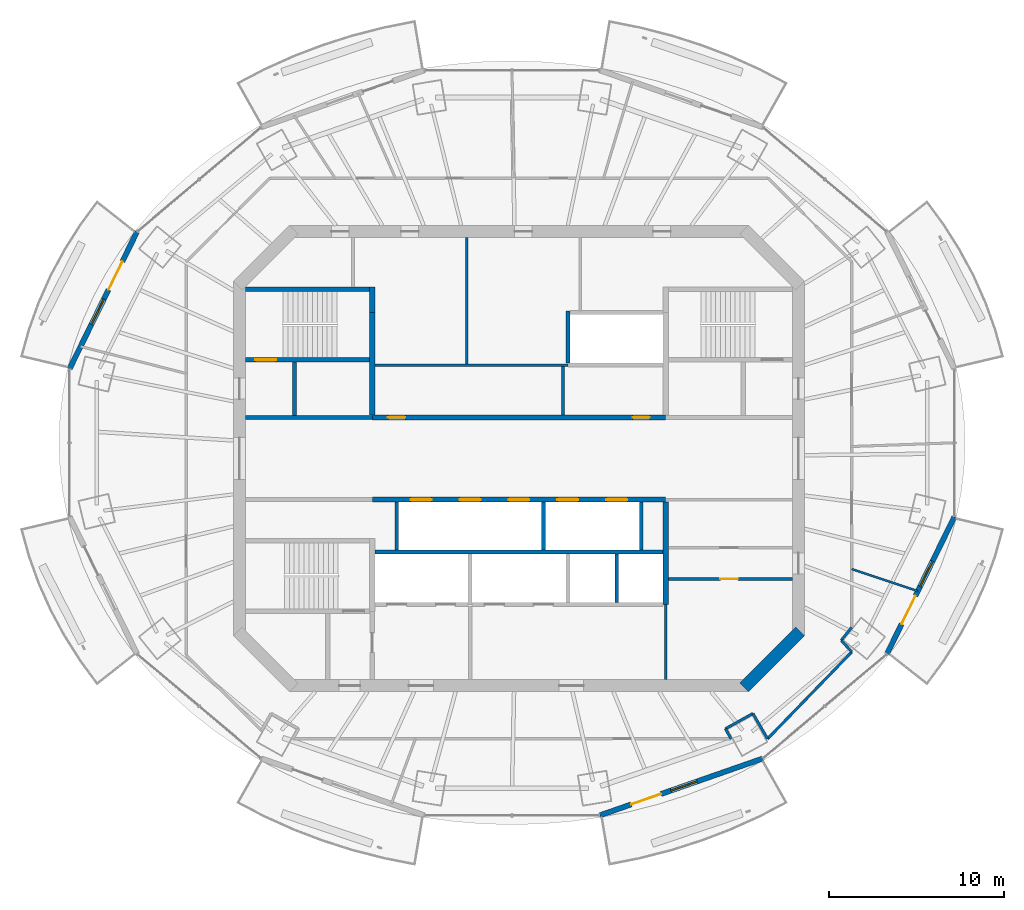
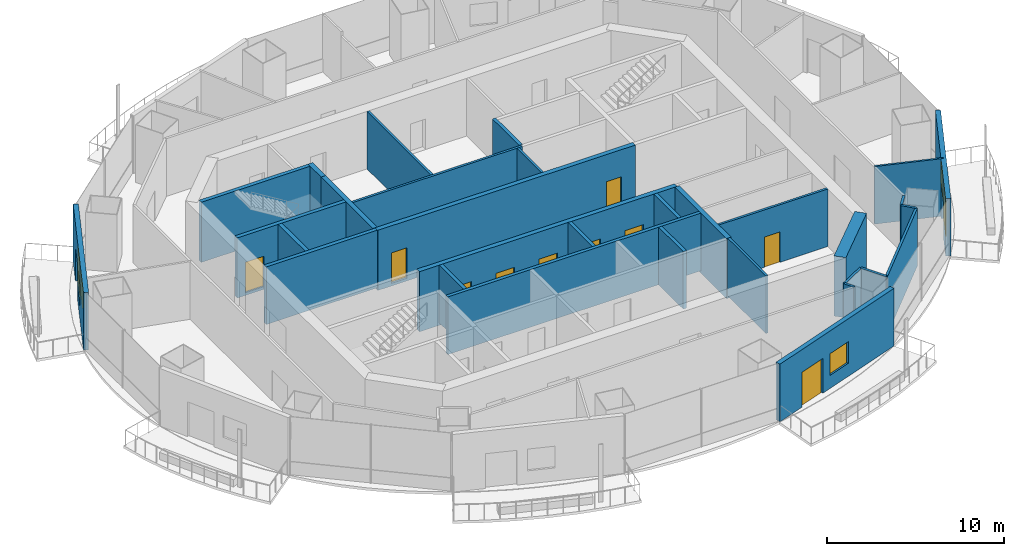
# One storey, part 9 of 16: 31 walls, 12 doors, 3 windows, 15 openings.
"""IFC4 building model written with IfcOpenShell, lengths in metres."""

from ifc_helpers import new_model, si_unit, direction, frame, frame_2d, origin, place, context, subcontext, project, spatial, rectangle, extrude, material, layer, layer_set, type_object, element, fill, save


model = new_model("IFC4")

# Units and contexts
model_context = context("Model", 3, precision=1e-05, world=origin(), true_north=direction((0.0, 1.0)))
body_context = subcontext(model_context, "Body", "Model", "MODEL_VIEW")
ifc_project = project(units=[si_unit("LENGTHUNIT", "METRE"), si_unit("AREAUNIT", "SQUARE_METRE"), si_unit("VOLUMEUNIT", "CUBIC_METRE"), si_unit("PLANEANGLEUNIT", "RADIAN"), si_unit("MASSUNIT", "GRAM", prefix="KILO")], contexts=[model_context])

# Site, building, storey
site_placement = place(None, origin())
site = spatial("IfcSite", under=ifc_project, at=site_placement, CompositionType="ELEMENT")
building_placement = place(site_placement, origin())
building = spatial("IfcBuilding", under=site, at=building_placement, Name="Marenthal Gate Tower", CompositionType="ELEMENT")
storey_placement = place(building_placement, frame((0.0, 0.0, 379.949951171875)))
storey = spatial("IfcBuildingStorey", under=building, at=storey_placement, Name="L86", CompositionType="ELEMENT", Elevation=379.949951171875)

# Wall
ifc_material_1 = material(Name="Concrete 60 MPa", Category="concrete")
ifc_layer_1 = layer(ifc_material_1, 0.699951171875)
ifc_layer_set_1 = layer_set([ifc_layer_1], Name="Core shear wall 700")
wall_type_1 = type_object("IfcWallType", Name="Core shear wall 700", PredefinedType="SHEAR", material=ifc_layer_set_1)
wall_1_placement = place(storey_placement, frame((12.8974609375, -13.1025390625, -0.179931640625), z_axis=(0.0, 0.0, 1.0), x_axis=(0.707106781187, 0.707106781187, 0.0)))
element("IfcWall", 1, at=wall_1_placement, inside=storey, type_object=wall_type_1, Name="Core wall 01", PredefinedType="SHEAR", context=body_context, shape_type="SweptSolid", body=[
    extrude(rectangle(XDim=4.53271484375, YDim=0.699951171875, at=frame_2d((2.266357421875, 0.0))), origin(), (0.0, 0.0, 1.0), 4.14990234375),
])

# Wall, openings, doors
ifc_material_2 = material(Name="Concrete 50 MPa", Category="concrete")
ifc_layer_2 = layer(ifc_material_2, 0.300048828125)
ifc_layer_set_2 = layer_set([ifc_layer_2], Name="Hoistway shear wall 300")
wall_type_2 = type_object("IfcWallType", Name="Hoistway shear wall 300", PredefinedType="SHEAR", material=ifc_layer_set_2)
wall_2_placement = place(storey_placement, frame((-8.39990234375, -2.35009765625, -0.179931640625), z_axis=(0.0, 0.0, 1.0), x_axis=(1.0, 0.0, 0.0)))
wall_2 = element("IfcWall", 2, at=wall_2_placement, inside=storey, type_object=wall_type_2, Name="Hoistway wall 17", PredefinedType="SHEAR", context=body_context, shape_type="SweptSolid", body=[
    extrude(rectangle(XDim=16.7998046875, YDim=0.300048828125, at=frame_2d((8.39990234375, 0.0))), origin(), (0.0, 0.0, 1.0), 4.14990234375),
])
opening_1_placement = place(wall_2_placement, frame((2.199951171875, 0.0, 0.179931640625)))
opening_1 = element("IfcOpeningElement", 3, at=opening_1_placement, cuts=wall_2, Name="Opening LD-HP1", PredefinedType="OPENING", context=body_context, shape_type="SweptSolid", body=[
    extrude(rectangle(XDim=1.199951171875, YDim=2.10009765625, at=frame_2d((0.60009765625, 1.050048828125))), frame((0.0, 0.16015625, 0.0), z_axis=(0.0, -1.0, 0.0), x_axis=(1.0, 0.0, 0.0)), (0.0, 0.0, 1.0), 0.320068359375),
])
opening_2_placement = place(wall_2_placement, frame((5.0, 0.0, 0.179931640625)))
opening_2 = element("IfcOpeningElement", 4, at=opening_2_placement, cuts=wall_2, Name="Opening LD-HP2", PredefinedType="OPENING", context=body_context, shape_type="SweptSolid", body=[
    extrude(rectangle(XDim=1.199951171875, YDim=2.10009765625, at=frame_2d((0.60009765625, 1.050048828125))), frame((0.0, 0.16015625, 0.0), z_axis=(0.0, -1.0, 0.0), x_axis=(1.0, 0.0, 0.0)), (0.0, 0.0, 1.0), 0.320068359375),
])
opening_3_placement = place(wall_2_placement, frame((7.800048828125, 0.0, 0.179931640625)))
opening_3 = element("IfcOpeningElement", 5, at=opening_3_placement, cuts=wall_2, Name="Opening LD-HP3", PredefinedType="OPENING", context=body_context, shape_type="SweptSolid", body=[
    extrude(rectangle(XDim=1.199951171875, YDim=2.10009765625, at=frame_2d((0.60009765625, 1.050048828125))), frame((0.0, 0.16015625, 0.0), z_axis=(0.0, -1.0, 0.0), x_axis=(1.0, 0.0, 0.0)), (0.0, 0.0, 1.0), 0.320068359375),
])
opening_4_placement = place(wall_2_placement, frame((10.60009765625, 0.0, 0.179931640625)))
opening_4 = element("IfcOpeningElement", 6, at=opening_4_placement, cuts=wall_2, Name="Opening LD-HP4", PredefinedType="OPENING", context=body_context, shape_type="SweptSolid", body=[
    extrude(rectangle(XDim=1.199951171875, YDim=2.10009765625, at=frame_2d((0.60009765625, 1.050048828125))), frame((0.0, 0.16015625, 0.0), z_axis=(0.0, -1.0, 0.0), x_axis=(1.0, 0.0, 0.0)), (0.0, 0.0, 1.0), 0.320068359375),
])
opening_5_placement = place(wall_2_placement, frame((13.39990234375, 0.0, 0.179931640625)))
opening_5 = element("IfcOpeningElement", 7, at=opening_5_placement, cuts=wall_2, Name="Opening LD-HP5", PredefinedType="OPENING", context=body_context, shape_type="SweptSolid", body=[
    extrude(rectangle(XDim=1.199951171875, YDim=2.10009765625, at=frame_2d((0.60009765625, 1.050048828125))), frame((0.0, 0.16015625, 0.0), z_axis=(0.0, -1.0, 0.0), x_axis=(1.0, 0.0, 0.0)), (0.0, 0.0, 1.0), 0.320068359375),
])
ifc_material_3 = material(Name="Stainless steel sliding door", Category="steel")
door_type_1 = type_object("IfcDoorType", Name="Lift landing door FD 90 1200 x 2100", OperationType="DOUBLE_DOOR_SLIDING", PredefinedType="DOOR", material=ifc_material_3)
door_1_placement = place(opening_1_placement, origin())
door_1 = element("IfcDoor", 8, at=door_1_placement, inside=storey, type_object=door_type_1, Name="Lift landing door HP1", OperationType="DOUBLE_DOOR_SLIDING", OverallHeight=2.10009765625, OverallWidth=1.199951171875, PredefinedType="DOOR", context=body_context, shape_type="SweptSolid", body=[
    extrude(rectangle(XDim=1.199951171875, YDim=2.10009765625, at=frame_2d((0.60009765625, 1.050048828125))), frame((0.0, 0.02490234375, 0.0), z_axis=(0.0, -1.0, 0.0), x_axis=(1.0, 0.0, 0.0)), (0.0, 0.0, 1.0), 0.050048828125),
])
fill(opening_1, door_1)
door_2_placement = place(opening_2_placement, origin())
door_2 = element("IfcDoor", 9, at=door_2_placement, inside=storey, type_object=door_type_1, Name="Lift landing door HP2", OperationType="DOUBLE_DOOR_SLIDING", OverallHeight=2.10009765625, OverallWidth=1.199951171875, PredefinedType="DOOR", context=body_context, shape_type="SweptSolid", body=[
    extrude(rectangle(XDim=1.199951171875, YDim=2.10009765625, at=frame_2d((0.60009765625, 1.050048828125))), frame((0.0, 0.02490234375, 0.0), z_axis=(0.0, -1.0, 0.0), x_axis=(1.0, 0.0, 0.0)), (0.0, 0.0, 1.0), 0.050048828125),
])
fill(opening_2, door_2)
door_3_placement = place(opening_3_placement, origin())
door_3 = element("IfcDoor", 10, at=door_3_placement, inside=storey, type_object=door_type_1, Name="Lift landing door HP3", OperationType="DOUBLE_DOOR_SLIDING", OverallHeight=2.10009765625, OverallWidth=1.199951171875, PredefinedType="DOOR", context=body_context, shape_type="SweptSolid", body=[
    extrude(rectangle(XDim=1.199951171875, YDim=2.10009765625, at=frame_2d((0.60009765625, 1.050048828125))), frame((0.0, 0.02490234375, 0.0), z_axis=(0.0, -1.0, 0.0), x_axis=(1.0, 0.0, 0.0)), (0.0, 0.0, 1.0), 0.050048828125),
])
fill(opening_3, door_3)
door_4_placement = place(opening_4_placement, origin())
door_4 = element("IfcDoor", 11, at=door_4_placement, inside=storey, type_object=door_type_1, Name="Lift landing door HP4", OperationType="DOUBLE_DOOR_SLIDING", OverallHeight=2.10009765625, OverallWidth=1.199951171875, PredefinedType="DOOR", context=body_context, shape_type="SweptSolid", body=[
    extrude(rectangle(XDim=1.199951171875, YDim=2.10009765625, at=frame_2d((0.60009765625, 1.050048828125))), frame((0.0, 0.02490234375, 0.0), z_axis=(0.0, -1.0, 0.0), x_axis=(1.0, 0.0, 0.0)), (0.0, 0.0, 1.0), 0.050048828125),
])
fill(opening_4, door_4)
door_5_placement = place(opening_5_placement, origin())
door_5 = element("IfcDoor", 12, at=door_5_placement, inside=storey, type_object=door_type_1, Name="Lift landing door HP5", OperationType="DOUBLE_DOOR_SLIDING", OverallHeight=2.10009765625, OverallWidth=1.199951171875, PredefinedType="DOOR", context=body_context, shape_type="SweptSolid", body=[
    extrude(rectangle(XDim=1.199951171875, YDim=2.10009765625, at=frame_2d((0.60009765625, 1.050048828125))), frame((0.0, 0.02490234375, 0.0), z_axis=(0.0, -1.0, 0.0), x_axis=(1.0, 0.0, 0.0)), (0.0, 0.0, 1.0), 0.050048828125),
])
fill(opening_5, door_5)

wall_3_placement = place(storey_placement, frame((-8.39990234375, 2.35009765625, -0.179931640625), z_axis=(0.0, 0.0, 1.0), x_axis=(1.0, 0.0, 0.0)))
wall_3 = element("IfcWall", 13, at=wall_3_placement, inside=storey, type_object=wall_type_2, Name="Hoistway wall 20", PredefinedType="SHEAR", context=body_context, shape_type="SweptSolid", body=[
    extrude(rectangle(XDim=16.7998046875, YDim=0.300048828125, at=frame_2d((8.39990234375, 0.0))), origin(), (0.0, 0.0, 1.0), 4.14990234375),
])
opening_6_placement = place(wall_3_placement, frame((0.89990234375, 0.0, 0.179931640625)))
opening_6 = element("IfcOpeningElement", 14, at=opening_6_placement, cuts=wall_3, Name="Opening D005.01", PredefinedType="OPENING", context=body_context, shape_type="SweptSolid", body=[
    extrude(rectangle(XDim=1.0, YDim=2.10009765625, at=frame_2d((0.5, 1.050048828125))), frame((0.0, 0.16015625, 0.0), z_axis=(0.0, -1.0, 0.0), x_axis=(1.0, 0.0, 0.0)), (0.0, 0.0, 1.0), 0.320068359375),
])
opening_7_placement = place(wall_3_placement, frame((14.89990234375, 0.0, 0.179931640625)))
opening_7 = element("IfcOpeningElement", 15, at=opening_7_placement, cuts=wall_3, Name="Opening D005.02", PredefinedType="OPENING", context=body_context, shape_type="SweptSolid", body=[
    extrude(rectangle(XDim=1.0, YDim=2.10009765625, at=frame_2d((0.5, 1.050048828125))), frame((0.0, 0.16015625, 0.0), z_axis=(0.0, -1.0, 0.0), x_axis=(1.0, 0.0, 0.0)), (0.0, 0.0, 1.0), 0.320068359375),
])
ifc_material_4 = material(Name="Steel fire door", Category="steel")
door_type_2 = type_object("IfcDoorType", Name="Fire door FD 45 1000 x 2100", OperationType="NOTDEFINED", PredefinedType="DOOR", material=ifc_material_4)
door_6_placement = place(opening_6_placement, origin())
door_6 = element("IfcDoor", 16, at=door_6_placement, inside=storey, type_object=door_type_2, Name="Door D005.01", OperationType="SINGLE_SWING_RIGHT", OverallHeight=2.10009765625, OverallWidth=1.0, PredefinedType="DOOR", context=body_context, shape_type="SweptSolid", body=[
    extrude(rectangle(XDim=1.0, YDim=2.10009765625, at=frame_2d((0.5, 1.050048828125))), frame((0.0, 0.02490234375, 0.0), z_axis=(0.0, -1.0, 0.0), x_axis=(1.0, 0.0, 0.0)), (0.0, 0.0, 1.0), 0.050048828125),
])
fill(opening_6, door_6)
door_7_placement = place(opening_7_placement, origin())
door_7 = element("IfcDoor", 17, at=door_7_placement, inside=storey, type_object=door_type_2, Name="Door D005.02", OperationType="SINGLE_SWING_RIGHT", OverallHeight=2.10009765625, OverallWidth=1.0, PredefinedType="DOOR", context=body_context, shape_type="SweptSolid", body=[
    extrude(rectangle(XDim=1.0, YDim=2.10009765625, at=frame_2d((0.5, 1.050048828125))), frame((0.0, 0.02490234375, 0.0), z_axis=(0.0, -1.0, 0.0), x_axis=(1.0, 0.0, 0.0)), (0.0, 0.0, 1.0), 0.050048828125),
])
fill(opening_7, door_7)

# Walls
for number, where, z_axis, x_axis, name in (
    (18, (-8.39990234375, 2.5, -0.179931640625), (0.0, 0.0, 1.0), (0.0, 1.0, 0.0), "Hoistway wall 34"),
    (19, (8.39990234375, -8.35009765625, -0.179931640625), (0.0, 0.0, 1.0), (0.0, 1.0, 0.0), "Hoistway wall 48"),
):
    element("IfcWall", number, at=place(storey_placement, frame(where, z_axis=z_axis, x_axis=x_axis)), inside=storey, type_object=wall_type_2, Name=name, PredefinedType="SHEAR", context=body_context, shape_type="SweptSolid", body=[
        extrude(rectangle(XDim=5.85009765625, YDim=0.300048828125, at=frame_2d((2.925048828125, 0.0))), origin(), (0.0, 0.0, 1.0), 4.14990234375),
    ])
ifc_material_5 = material(Name="Concrete 40 MPa", Category="concrete")
ifc_layer_3 = layer(ifc_material_5, 0.219970703125)
ifc_layer_set_3 = layer_set([ifc_layer_3], Name="Hoistway wall 220")
wall_type_3 = type_object("IfcWallType", Name="Hoistway wall 220", PredefinedType="STANDARD", material=ifc_layer_set_3)
wall_4_placement = place(storey_placement, frame((-8.25, -5.35009765625, 0.0), z_axis=(0.0, 0.0, 1.0), x_axis=(1.0, 0.0, 0.0)))
element("IfcWall", 20, at=wall_4_placement, inside=storey, type_object=wall_type_3, Name="Hoistway wall 13", PredefinedType="STANDARD", context=body_context, shape_type="SweptSolid", body=[
    extrude(rectangle(XDim=16.5, YDim=0.219970703125, at=frame_2d((8.25, 0.0))), origin(), (0.0, 0.0, 1.0), 3.969970703125),
])
for number, where, z_axis, x_axis, name in (
    (21, (-7.0, -5.239990234375, 0.0), (0.0, 0.0, 1.0), (0.0, 1.0, 0.0), "Hoistway wall 36"),
    (22, (1.39990234375, -5.239990234375, 0.0), (0.0, 0.0, 1.0), (0.0, 1.0, 0.0), "Hoistway wall 40"),
):
    element("IfcWall", number, at=place(storey_placement, frame(where, z_axis=z_axis, x_axis=x_axis)), inside=storey, type_object=wall_type_3, Name=name, PredefinedType="STANDARD", context=body_context, shape_type="SweptSolid", body=[
        extrude(rectangle(XDim=2.739990234375, YDim=0.219970703125, at=frame_2d((1.3701171875, 0.0))), origin(), (0.0, 0.0, 1.0), 3.969970703125),
    ])
wall_5_placement = place(storey_placement, frame((2.800048828125, 5.4599609375, 0.0), z_axis=(0.0, 0.0, 1.0), x_axis=(0.0, 1.0, 0.0)))
element("IfcWall", 23, at=wall_5_placement, inside=storey, type_object=wall_type_3, Name="Hoistway wall 43", PredefinedType="STANDARD", context=body_context, shape_type="SweptSolid", body=[
    extrude(rectangle(XDim=3.0, YDim=0.219970703125, at=frame_2d((1.5, 0.0))), origin(), (0.0, 0.0, 1.0), 3.969970703125),
])
wall_6_placement = place(storey_placement, frame((5.60009765625, -8.239990234375, 0.0), z_axis=(0.0, 0.0, 1.0), x_axis=(0.0, 1.0, 0.0)))
element("IfcWall", 24, at=wall_6_placement, inside=storey, type_object=wall_type_3, Name="Hoistway wall 45", PredefinedType="STANDARD", context=body_context, shape_type="SweptSolid", body=[
    extrude(rectangle(XDim=2.780029296875, YDim=0.219970703125, at=frame_2d((1.39013671875, 0.0))), origin(), (0.0, 0.0, 1.0), 3.969970703125),
])
wall_7_placement = place(storey_placement, frame((7.0, -5.239990234375, 0.0), z_axis=(0.0, 0.0, 1.0), x_axis=(0.0, 1.0, 0.0)))
element("IfcWall", 25, at=wall_7_placement, inside=storey, type_object=wall_type_3, Name="Hoistway wall 46", PredefinedType="STANDARD", context=body_context, shape_type="SweptSolid", body=[
    extrude(rectangle(XDim=2.739990234375, YDim=0.219970703125, at=frame_2d((1.3701171875, 0.0))), origin(), (0.0, 0.0, 1.0), 3.969970703125),
])
ifc_material_6 = material(Name="Gypsum board on steel studs", Category="steel")
ifc_layer_4 = layer(ifc_material_6, 0.1201171875)
ifc_layer_set_4 = layer_set([ifc_layer_4], Name="Partition 120")
wall_type_4 = type_object("IfcWallType", Name="Partition 120", PredefinedType="PARTITIONING", material=ifc_layer_set_4)
wall_8_placement = place(storey_placement, frame((19.050048828125, -6.3330078125, 0.0), z_axis=(0.0, 0.0, 1.0), x_axis=(0.94893391062, -0.31547493288, 0.0)))
element("IfcWall", 26, at=wall_8_placement, inside=storey, type_object=wall_type_4, Name="Partition wall 73", PredefinedType="PARTITIONING", context=body_context, shape_type="SweptSolid", body=[
    extrude(rectangle(XDim=3.9892578125, YDim=0.1201171875, at=frame_2d((1.99462890625, 0.0))), origin(), (0.0, 0.0, 1.0), 3.969970703125),
])

# Wall, opening, door
ifc_material_7 = material(Name="Gypsum board on steel studs", Category="steel")
ifc_layer_5 = layer(ifc_material_7, 0.14990234375)
ifc_layer_set_5 = layer_set([ifc_layer_5], Name="Partition 150")
wall_type_5 = type_object("IfcWallType", Name="Partition 150", PredefinedType="PARTITIONING", material=ifc_layer_set_5)
wall_9_placement = place(storey_placement, frame((8.550048828125, -6.89990234375, 0.0), z_axis=(0.0, 0.0, 1.0), x_axis=(1.0, 0.0, 0.0)))
wall_9 = element("IfcWall", 27, at=wall_9_placement, inside=storey, type_object=wall_type_5, Name="Partition wall 12", PredefinedType="PARTITIONING", context=body_context, shape_type="SweptSolid", body=[
    extrude(rectangle(XDim=7.099853515625, YDim=0.14990234375, at=frame_2d((3.5498046875, 0.0))), origin(), (0.0, 0.0, 1.0), 3.969970703125),
])
opening_8_placement = place(wall_9_placement, frame((2.97509765625, 0.0, 0.0)))
opening_8 = element("IfcOpeningElement", 28, at=opening_8_placement, cuts=wall_9, Name="Opening D005.08", PredefinedType="OPENING", context=body_context, shape_type="SweptSolid", body=[
    extrude(rectangle(XDim=1.0, YDim=2.10009765625, at=frame_2d((0.5, 1.050048828125))), frame((0.0, 0.0849609375, 0.0), z_axis=(0.0, -1.0, 0.0), x_axis=(1.0, 0.0, 0.0)), (0.0, 0.0, 1.0), 0.169921875),
])
door_8_placement = place(opening_8_placement, frame((1.0, 0.0, 0.0), z_axis=(0.0, 0.0, 1.0), x_axis=(-1.0, 0.0, 0.0)))
door_8 = element("IfcDoor", 29, at=door_8_placement, inside=storey, type_object=door_type_2, Name="Door D005.08", OperationType="SINGLE_SWING_LEFT", OverallHeight=2.10009765625, OverallWidth=1.0, PredefinedType="DOOR", context=body_context, shape_type="SweptSolid", body=[
    extrude(rectangle(XDim=1.0, YDim=2.10009765625, at=frame_2d((0.5, 1.050048828125))), frame((0.0, 0.02490234375, 0.0), z_axis=(0.0, -1.0, 0.0), x_axis=(1.0, 0.0, 0.0)), (0.0, 0.0, 1.0), 0.050048828125),
])
fill(opening_8, door_8)

# Walls
wall_10_placement = place(storey_placement, frame((-8.25, 5.35009765625, 0.0), z_axis=(0.0, 0.0, 1.0), x_axis=(1.0, 0.0, 0.0)))
element("IfcWall", 30, at=wall_10_placement, inside=storey, type_object=wall_type_5, Name="Partition wall 22", PredefinedType="PARTITIONING", context=body_context, shape_type="SweptSolid", body=[
    extrude(rectangle(XDim=11.050048828125, YDim=0.14990234375, at=frame_2d((5.52490234375, 0.0))), origin(), (0.0, 0.0, 1.0), 3.969970703125),
])
wall_11_placement = place(storey_placement, frame((-3.0, 5.425048828125, 0.0), z_axis=(0.0, 0.0, 1.0), x_axis=(0.0, 1.0, 0.0)))
element("IfcWall", 31, at=wall_11_placement, inside=storey, type_object=wall_type_5, Name="Partition wall 37", PredefinedType="PARTITIONING", context=body_context, shape_type="SweptSolid", body=[
    extrude(rectangle(XDim=7.224853515625, YDim=0.14990234375, at=frame_2d((3.6123046875, 0.0))), origin(), (0.0, 0.0, 1.0), 3.969970703125),
])
wall_12_placement = place(storey_placement, frame((2.52001953125, 2.5, 0.0), z_axis=(0.0, 0.0, 1.0), x_axis=(0.0, 1.0, 0.0)))
element("IfcWall", 32, at=wall_12_placement, inside=storey, type_object=wall_type_5, Name="Partition wall 41", PredefinedType="PARTITIONING", context=body_context, shape_type="SweptSolid", body=[
    extrude(rectangle(XDim=2.77490234375, YDim=0.14990234375, at=frame_2d((1.387451171875, 0.0))), origin(), (0.0, 0.0, 1.0), 3.969970703125),
])
wall_13_placement = place(storey_placement, frame((8.39990234375, -12.64990234375, 0.0), z_axis=(0.0, 0.0, 1.0), x_axis=(0.0, 1.0, 0.0)))
element("IfcWall", 33, at=wall_13_placement, inside=storey, type_object=wall_type_5, Name="Partition wall 47", PredefinedType="PARTITIONING", context=body_context, shape_type="SweptSolid", body=[
    extrude(rectangle(XDim=4.2998046875, YDim=0.14990234375, at=frame_2d((2.14990234375, 0.0))), origin(), (0.0, 0.0, 1.0), 3.969970703125),
])
wall_14_placement = place(storey_placement, frame((11.81982421875, -15.473388671875, 0.0), z_axis=(0.0, 0.0, 1.0), x_axis=(0.48586284539, -0.874035065355, 0.0)))
element("IfcWall", 34, at=wall_14_placement, inside=storey, type_object=wall_type_5, Name="Partition wall 65", PredefinedType="PARTITIONING", context=body_context, shape_type="SweptSolid", body=[
    extrude(rectangle(XDim=0.65966796875, YDim=0.14990234375, at=frame_2d((0.329833984375, 0.0))), origin(), (0.0, 0.0, 1.0), 3.969970703125),
])
wall_15_placement = place(storey_placement, frame((13.393310546875, -14.59912109375, 0.0), z_axis=(0.0, 0.0, 1.0), x_axis=(-0.874131684449, -0.48568899333, 0.0)))
element("IfcWall", 35, at=wall_15_placement, inside=storey, type_object=wall_type_5, Name="Partition wall 67", PredefinedType="PARTITIONING", context=body_context, shape_type="SweptSolid", body=[
    extrude(rectangle(XDim=1.800048828125, YDim=0.14990234375, at=frame_2d((0.89990234375, 0.0))), origin(), (0.0, 0.0, 1.0), 3.969970703125),
])
wall_16_placement = place(storey_placement, frame((14.231689453125, -16.050048828125, 0.0), z_axis=(0.0, 0.0, 1.0), x_axis=(-0.500306725227, 0.865848243454, 0.0)))
element("IfcWall", 36, at=wall_16_placement, inside=storey, type_object=wall_type_5, Name="Partition wall 68", PredefinedType="PARTITIONING", context=body_context, shape_type="SweptSolid", body=[
    extrude(rectangle(XDim=1.67578125, YDim=0.14990234375, at=frame_2d((0.837890625, 0.0))), origin(), (0.0, 0.0, 1.0), 3.969970703125),
])
wall_17_placement = place(storey_placement, frame((18.4521484375, -10.409912109375, 0.0), z_axis=(0.0, 0.0, 1.0), x_axis=(0.667623183187, -0.744499352096, 0.0)))
element("IfcWall", 37, at=wall_17_placement, inside=storey, type_object=wall_type_5, Name="Partition wall 70", PredefinedType="PARTITIONING", context=body_context, shape_type="SweptSolid", body=[
    extrude(rectangle(XDim=0.8955078125, YDim=0.14990234375, at=frame_2d((0.44775390625, 0.0))), origin(), (0.0, 0.0, 1.0), 3.969970703125),
])
wall_18_placement = place(storey_placement, frame((19.050048828125, -11.07666015625, 0.0), z_axis=(0.0, 0.0, 1.0), x_axis=(-0.695824202045, -0.718212141257, 0.0)))
element("IfcWall", 38, at=wall_18_placement, inside=storey, type_object=wall_type_5, Name="Partition wall 71", PredefinedType="PARTITIONING", context=body_context, shape_type="SweptSolid", body=[
    extrude(rectangle(XDim=6.924560546875, YDim=0.14990234375, at=frame_2d((3.46240234375, 0.0))), origin(), (0.0, 0.0, 1.0), 3.969970703125),
])
wall_19_placement = place(storey_placement, frame((19.050048828125, -9.665771484375, 0.0), z_axis=(0.0, 0.0, 1.0), x_axis=(-0.626346705542, -0.779544613513, 0.0)))
element("IfcWall", 39, at=wall_19_placement, inside=storey, type_object=wall_type_5, Name="Partition wall 72", PredefinedType="PARTITIONING", context=body_context, shape_type="SweptSolid", body=[
    extrude(rectangle(XDim=0.95458984375, YDim=0.14990234375, at=frame_2d((0.477294921875, 0.0))), origin(), (0.0, 0.0, 1.0), 3.969970703125),
])
ifc_material_8 = material(Name="Concrete 40 MPa", Category="concrete")
ifc_layer_6 = layer(ifc_material_8, 0.25)
ifc_layer_set_6 = layer_set([ifc_layer_6], Name="Stair enclosure wall 250")
wall_type_6 = type_object("IfcWallType", Name="Stair enclosure wall 250", PredefinedType="STANDARD", material=ifc_layer_set_6)
wall_20_placement = place(storey_placement, frame((-15.64990234375, 2.35009765625, 0.0), z_axis=(0.0, 0.0, 1.0), x_axis=(1.0, 0.0, 0.0)))
element("IfcWall", 40, at=wall_20_placement, inside=storey, type_object=wall_type_6, Name="Stair wall 19", PredefinedType="STANDARD", context=body_context, shape_type="SweptSolid", body=[
    extrude(rectangle(XDim=7.25, YDim=0.25, at=frame_2d((3.625, 0.0))), origin(), (0.0, 0.0, 1.0), 3.969970703125),
])
wall_21_placement = place(storey_placement, frame((-12.85009765625, 2.47509765625, 0.0), z_axis=(0.0, 0.0, 1.0), x_axis=(0.0, 1.0, 0.0)))
element("IfcWall", 41, at=wall_21_placement, inside=storey, type_object=wall_type_6, Name="Stair wall 29", PredefinedType="STANDARD", context=body_context, shape_type="SweptSolid", body=[
    extrude(rectangle(XDim=3.0498046875, YDim=0.25, at=frame_2d((1.52490234375, 0.0))), origin(), (0.0, 0.0, 1.0), 3.969970703125),
])

# Wall, opening, door
ifc_material_9 = material(Name="Concrete 50 MPa", Category="concrete")
ifc_layer_7 = layer(ifc_material_9, 0.25)
ifc_layer_set_7 = layer_set([ifc_layer_7], Name="Stair shear wall 250")
wall_type_7 = type_object("IfcWallType", Name="Stair shear wall 250", PredefinedType="SHEAR", material=ifc_layer_set_7)
wall_22_placement = place(storey_placement, frame((-15.64990234375, 5.64990234375, -0.179931640625), z_axis=(0.0, 0.0, 1.0), x_axis=(1.0, 0.0, 0.0)))
wall_22 = element("IfcWall", 42, at=wall_22_placement, inside=storey, type_object=wall_type_7, Name="Stair wall 24", PredefinedType="SHEAR", context=body_context, shape_type="SweptSolid", body=[
    extrude(rectangle(XDim=7.099853515625, YDim=0.25, at=frame_2d((3.5498046875, 0.0))), origin(), (0.0, 0.0, 1.0), 4.14990234375),
])
opening_9_placement = place(wall_22_placement, frame((0.550048828125, 0.0, 0.179931640625)))
opening_9 = element("IfcOpeningElement", 43, at=opening_9_placement, cuts=wall_22, Name="Opening D001.01", PredefinedType="OPENING", context=body_context, shape_type="SweptSolid", body=[
    extrude(rectangle(XDim=1.199951171875, YDim=2.10009765625, at=frame_2d((0.60009765625, 1.050048828125))), frame((0.0, 0.135009765625, 0.0), z_axis=(0.0, -1.0, 0.0), x_axis=(1.0, 0.0, 0.0)), (0.0, 0.0, 1.0), 0.27001953125),
])
ifc_material_10 = material(Name="Steel fire door", Category="steel")
door_type_3 = type_object("IfcDoorType", Name="Fire door FD 90 1200 x 2100", OperationType="NOTDEFINED", PredefinedType="DOOR", material=ifc_material_10)
door_9_placement = place(opening_9_placement, origin())
door_9 = element("IfcDoor", 44, at=door_9_placement, inside=storey, type_object=door_type_3, Name="Door D001.01", OperationType="SINGLE_SWING_RIGHT", OverallHeight=2.10009765625, OverallWidth=1.199951171875, PredefinedType="DOOR", context=body_context, shape_type="SweptSolid", body=[
    extrude(rectangle(XDim=1.199951171875, YDim=2.10009765625, at=frame_2d((0.60009765625, 1.050048828125))), frame((0.0, 0.02490234375, 0.0), z_axis=(0.0, -1.0, 0.0), x_axis=(1.0, 0.0, 0.0)), (0.0, 0.0, 1.0), 0.050048828125),
])
fill(opening_9, door_9)

# Walls
wall_23_placement = place(storey_placement, frame((-15.64990234375, 9.699951171875, -0.179931640625), z_axis=(0.0, 0.0, 1.0), x_axis=(1.0, 0.0, 0.0)))
element("IfcWall", 45, at=wall_23_placement, inside=storey, type_object=wall_type_7, Name="Stair wall 27", PredefinedType="SHEAR", context=body_context, shape_type="SweptSolid", body=[
    extrude(rectangle(XDim=7.099853515625, YDim=0.25, at=frame_2d((3.5498046875, 0.0))), origin(), (0.0, 0.0, 1.0), 4.14990234375),
])
ifc_material_11 = material(Name="Concrete 50 MPa", Category="concrete")
ifc_layer_8 = layer(ifc_material_11, 0.300048828125)
ifc_layer_set_8 = layer_set([ifc_layer_8], Name="Stair shear wall 300")
wall_type_8 = type_object("IfcWallType", Name="Stair shear wall 300", PredefinedType="SHEAR", material=ifc_layer_set_8)
wall_24_placement = place(storey_placement, frame((-8.39990234375, 8.35009765625, -0.179931640625), z_axis=(0.0, 0.0, 1.0), x_axis=(0.0, 1.0, 0.0)))
element("IfcWall", 46, at=wall_24_placement, inside=storey, type_object=wall_type_8, Name="Stair wall 35", PredefinedType="SHEAR", context=body_context, shape_type="SweptSolid", body=[
    extrude(rectangle(XDim=1.474853515625, YDim=0.300048828125, at=frame_2d((0.7373046875, 0.0))), origin(), (0.0, 0.0, 1.0), 4.14990234375),
])

# Wall, openings, door, window
ifc_material_12 = material(Name="Terracotta cladding on insulated concrete-block backing", Category="masonry")
ifc_layer_9 = layer(ifc_material_12, 0.300048828125)
ifc_layer_set_9 = layer_set([ifc_layer_9], Name="Terracotta facade wall 300")
wall_type_9 = type_object("IfcWallType", Name="Terracotta facade wall 300", PredefinedType="SOLIDWALL", material=ifc_layer_set_9)
wall_25_placement = place(storey_placement, frame((-21.8701171875, 12.98095703125, 0.0), z_axis=(0.0, 0.0, 1.0), x_axis=(-0.441368721009, -0.897325833861, 0.0)))
wall_25 = element("IfcWall", 47, at=wall_25_placement, inside=storey, type_object=wall_type_9, Name="Terracotta facade wall L86 bay 7", PredefinedType="SOLIDWALL", context=body_context, shape_type="SweptSolid", body=[
    extrude(rectangle(XDim=8.73583984375, YDim=0.300048828125, at=frame_2d((4.367919921875, 0.0))), origin(), (0.0, 0.0, 1.0), 3.969970703125),
])
opening_10_placement = place(wall_25_placement, frame((1.89990234375, 0.0, 0.0)))
opening_10 = element("IfcOpeningElement", 48, at=opening_10_placement, cuts=wall_25, Name="Opening BD-L86-07", PredefinedType="OPENING", context=body_context, shape_type="SweptSolid", body=[
    extrude(rectangle(XDim=1.800048828125, YDim=2.39990234375, at=frame_2d((0.89990234375, 1.199951171875))), frame((0.0, 0.16015625, 0.0), z_axis=(0.0, -1.0, 0.0), x_axis=(1.0, 0.0, 0.0)), (0.0, 0.0, 1.0), 0.320068359375),
])
opening_11_placement = place(wall_25_placement, frame((4.300048828125, 0.0, 0.89990234375)))
opening_11 = element("IfcOpeningElement", 49, at=opening_11_placement, cuts=wall_25, Name="Opening WN3-L86-07", PredefinedType="OPENING", context=body_context, shape_type="SweptSolid", body=[
    extrude(rectangle(XDim=1.60009765625, YDim=1.5, at=frame_2d((0.800048828125, 0.75))), frame((0.0, 0.16015625, 0.0), z_axis=(0.0, -1.0, 0.0), x_axis=(1.0, 0.0, 0.0)), (0.0, 0.0, 1.0), 0.320068359375),
])
ifc_material_13 = material(Name="Aluminium and glass", Category="aluminium")
door_type_4 = type_object("IfcDoorType", Name="Balcony door 1800x2400", OperationType="DOUBLE_DOOR_SINGLE_SWING", PredefinedType="DOOR", material=ifc_material_13)
door_10_placement = place(opening_10_placement, origin())
door_10 = element("IfcDoor", 50, at=door_10_placement, inside=storey, type_object=door_type_4, Name="Balcony door L86 bay 7", OperationType="SINGLE_SWING_LEFT", OverallHeight=2.39990234375, OverallWidth=1.800048828125, PredefinedType="DOOR", context=body_context, shape_type="SweptSolid", body=[
    extrude(rectangle(XDim=1.800048828125, YDim=2.39990234375, at=frame_2d((0.89990234375, 1.199951171875))), frame((0.0, 0.02490234375, 0.0), z_axis=(0.0, -1.0, 0.0), x_axis=(1.0, 0.0, 0.0)), (0.0, 0.0, 1.0), 0.050048828125),
])
fill(opening_10, door_10)
ifc_material_14 = material(Name="Aluminium and glass", Category="aluminium")
window_type = type_object("IfcWindowType", Name="Window 1600x1500", PartitioningType="DOUBLE_PANEL_VERTICAL", PredefinedType="WINDOW", material=ifc_material_14)
window_1_placement = place(opening_11_placement, origin())
window_1 = element("IfcWindow", 51, at=window_1_placement, inside=storey, type_object=window_type, Name="Window L86 bay 7", OverallHeight=1.5, OverallWidth=1.60009765625, PartitioningType="SINGLE_PANEL", PredefinedType="WINDOW", context=body_context, shape_type="SweptSolid", body=[
    extrude(rectangle(XDim=1.60009765625, YDim=1.5, at=frame_2d((0.800048828125, 0.75))), frame((0.0, 0.030029296875, 0.0), z_axis=(0.0, -1.0, 0.0), x_axis=(1.0, 0.0, 0.0)), (0.0, 0.0, 1.0), 0.06005859375),
])
fill(opening_11, window_1)

wall_26_placement = place(storey_placement, frame((4.6376953125, -20.42724609375, 0.0), z_axis=(0.0, 0.0, 1.0), x_axis=(0.944206092036, 0.329355212138, 0.0)))
wall_26 = element("IfcWall", 52, at=wall_26_placement, inside=storey, type_object=wall_type_9, Name="Terracotta facade wall L86 bay 13", PredefinedType="SOLIDWALL", context=body_context, shape_type="SweptSolid", body=[
    extrude(rectangle(XDim=9.858154296875, YDim=0.300048828125, at=frame_2d((4.92919921875, 0.0))), origin(), (0.0, 0.0, 1.0), 3.969970703125),
])
opening_12_placement = place(wall_26_placement, frame((1.89990234375, 0.0, 0.0)))
opening_12 = element("IfcOpeningElement", 53, at=opening_12_placement, cuts=wall_26, Name="Opening BD-L86-13", PredefinedType="OPENING", context=body_context, shape_type="SweptSolid", body=[
    extrude(rectangle(XDim=1.800048828125, YDim=2.39990234375, at=frame_2d((0.89990234375, 1.199951171875))), frame((0.0, 0.16015625, 0.0), z_axis=(0.0, -1.0, 0.0), x_axis=(1.0, 0.0, 0.0)), (0.0, 0.0, 1.0), 0.320068359375),
])
opening_13_placement = place(wall_26_placement, frame((4.300048828125, 0.0, 0.89990234375)))
opening_13 = element("IfcOpeningElement", 54, at=opening_13_placement, cuts=wall_26, Name="Opening WN3-L86-13", PredefinedType="OPENING", context=body_context, shape_type="SweptSolid", body=[
    extrude(rectangle(XDim=1.60009765625, YDim=1.5, at=frame_2d((0.800048828125, 0.75))), frame((0.0, 0.16015625, 0.0), z_axis=(0.0, -1.0, 0.0), x_axis=(1.0, 0.0, 0.0)), (0.0, 0.0, 1.0), 0.320068359375),
])
door_11_placement = place(opening_12_placement, origin())
door_11 = element("IfcDoor", 55, at=door_11_placement, inside=storey, type_object=door_type_4, Name="Balcony door L86 bay 13", OperationType="SINGLE_SWING_LEFT", OverallHeight=2.39990234375, OverallWidth=1.800048828125, PredefinedType="DOOR", context=body_context, shape_type="SweptSolid", body=[
    extrude(rectangle(XDim=1.800048828125, YDim=2.39990234375, at=frame_2d((0.89990234375, 1.199951171875))), frame((0.0, 0.02490234375, 0.0), z_axis=(0.0, -1.0, 0.0), x_axis=(1.0, 0.0, 0.0)), (0.0, 0.0, 1.0), 0.050048828125),
])
fill(opening_12, door_11)
window_2_placement = place(opening_13_placement, origin())
window_2 = element("IfcWindow", 56, at=window_2_placement, inside=storey, type_object=window_type, Name="Window L86 bay 13", OverallHeight=1.5, OverallWidth=1.60009765625, PartitioningType="SINGLE_PANEL", PredefinedType="WINDOW", context=body_context, shape_type="SweptSolid", body=[
    extrude(rectangle(XDim=1.60009765625, YDim=1.5, at=frame_2d((0.800048828125, 0.75))), frame((0.0, 0.030029296875, 0.0), z_axis=(0.0, -1.0, 0.0), x_axis=(1.0, 0.0, 0.0)), (0.0, 0.0, 1.0), 0.06005859375),
])
fill(opening_13, window_2)

wall_27_placement = place(storey_placement, frame((21.0703125, -11.180908203125, 0.0), z_axis=(0.0, 0.0, 1.0), x_axis=(0.441357286206, 0.897331458221, 0.0)))
wall_27 = element("IfcWall", 57, at=wall_27_placement, inside=storey, type_object=wall_type_9, Name="Terracotta facade wall L86 bay 15", PredefinedType="SOLIDWALL", context=body_context, shape_type="SweptSolid", body=[
    extrude(rectangle(XDim=8.735595703125, YDim=0.300048828125, at=frame_2d((4.36767578125, 0.0))), origin(), (0.0, 0.0, 1.0), 3.969970703125),
])
opening_14_placement = place(wall_27_placement, frame((1.89990234375, 0.0, 0.0)))
opening_14 = element("IfcOpeningElement", 58, at=opening_14_placement, cuts=wall_27, Name="Opening BD-L86-15", PredefinedType="OPENING", context=body_context, shape_type="SweptSolid", body=[
    extrude(rectangle(XDim=1.800048828125, YDim=2.39990234375, at=frame_2d((0.89990234375, 1.199951171875))), frame((0.0, 0.16015625, 0.0), z_axis=(0.0, -1.0, 0.0), x_axis=(1.0, 0.0, 0.0)), (0.0, 0.0, 1.0), 0.320068359375),
])
opening_15_placement = place(wall_27_placement, frame((4.300048828125, 0.0, 0.89990234375)))
opening_15 = element("IfcOpeningElement", 59, at=opening_15_placement, cuts=wall_27, Name="Opening WN3-L86-15", PredefinedType="OPENING", context=body_context, shape_type="SweptSolid", body=[
    extrude(rectangle(XDim=1.60009765625, YDim=1.5, at=frame_2d((0.800048828125, 0.75))), frame((0.0, 0.16015625, 0.0), z_axis=(0.0, -1.0, 0.0), x_axis=(1.0, 0.0, 0.0)), (0.0, 0.0, 1.0), 0.320068359375),
])
door_12_placement = place(opening_14_placement, origin())
door_12 = element("IfcDoor", 60, at=door_12_placement, inside=storey, type_object=door_type_4, Name="Balcony door L86 bay 15", OperationType="SINGLE_SWING_LEFT", OverallHeight=2.39990234375, OverallWidth=1.800048828125, PredefinedType="DOOR", context=body_context, shape_type="SweptSolid", body=[
    extrude(rectangle(XDim=1.800048828125, YDim=2.39990234375, at=frame_2d((0.89990234375, 1.199951171875))), frame((0.0, 0.02490234375, 0.0), z_axis=(0.0, -1.0, 0.0), x_axis=(1.0, 0.0, 0.0)), (0.0, 0.0, 1.0), 0.050048828125),
])
fill(opening_14, door_12)
window_3_placement = place(opening_15_placement, origin())
window_3 = element("IfcWindow", 61, at=window_3_placement, inside=storey, type_object=window_type, Name="Window L86 bay 15", OverallHeight=1.5, OverallWidth=1.60009765625, PartitioningType="SINGLE_PANEL", PredefinedType="WINDOW", context=body_context, shape_type="SweptSolid", body=[
    extrude(rectangle(XDim=1.60009765625, YDim=1.5, at=frame_2d((0.800048828125, 0.75))), frame((0.0, 0.030029296875, 0.0), z_axis=(0.0, -1.0, 0.0), x_axis=(1.0, 0.0, 0.0)), (0.0, 0.0, 1.0), 0.06005859375),
])
fill(opening_15, window_3)

save(model, "model.ifc")
